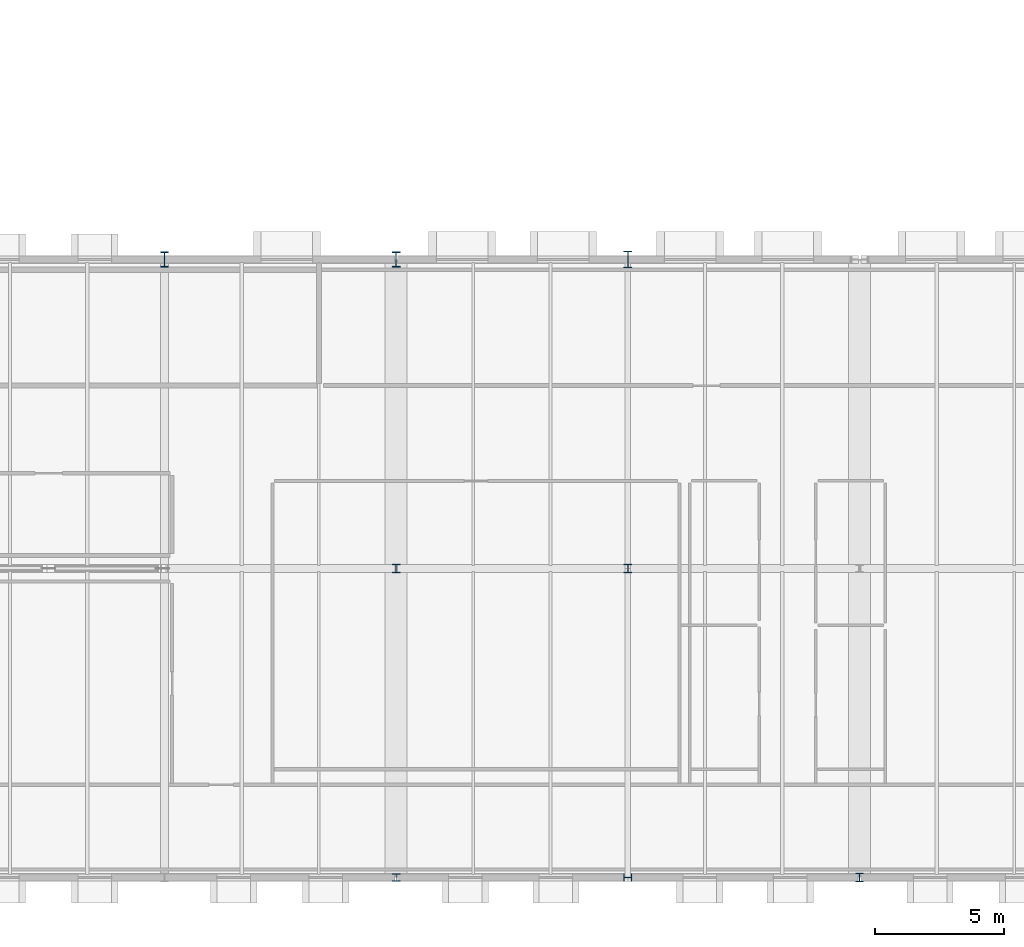
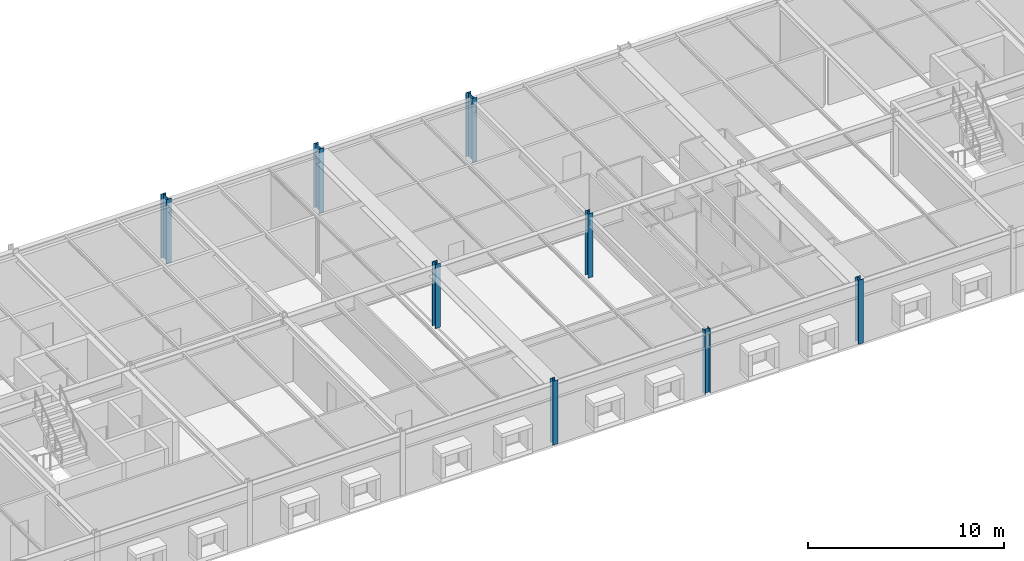
# One storey, part 2 of 36: 8 columns.
"""IFC4 building model written with IfcOpenShell, lengths in metres."""

from ifc_helpers import new_model, si_unit, direction, frame, origin, origin_2d, place, context, subcontext, project, spatial, i_section, extrude, material, material_profile, profile_set, type_object, element, save


model = new_model("IFC4")

# Units and contexts
model_context = context("Model", 3, precision=1e-05, world=origin(), true_north=direction((0.0, 1.0)))
body_context = subcontext(model_context, "Body", "Model", "MODEL_VIEW")
ifc_project = project(units=[si_unit("LENGTHUNIT", "METRE"), si_unit("AREAUNIT", "SQUARE_METRE"), si_unit("VOLUMEUNIT", "CUBIC_METRE"), si_unit("PLANEANGLEUNIT", "RADIAN"), si_unit("MASSUNIT", "GRAM", prefix="KILO")], contexts=[model_context])

# Site, building, storey
site_placement = place(None, origin())
site = spatial("IfcSite", under=ifc_project, at=site_placement, CompositionType="ELEMENT")
building_placement = place(site_placement, origin())
building = spatial("IfcBuilding", under=site, at=building_placement, Name="Montelvaro Courts of Justice", CompositionType="ELEMENT")
storey_placement = place(building_placement, frame((0.0, 0.0, 23.39990234375)))
storey = spatial("IfcBuildingStorey", under=building, at=storey_placement, Name="L05", CompositionType="ELEMENT", Elevation=23.39990234375)

# Columns
ifc_material = material(Name="Steel S355", Category="steel")
ifc_material_profile_1 = material_profile(ifc_material, i_section(OverallWidth=0.300048828125, OverallDepth=0.300048828125, WebThickness=0.010986328125, FlangeThickness=0.01904296875, at=origin_2d()), Name="HEB 300")
ifc_profile_set_1 = profile_set([ifc_material_profile_1], Name="Steel S355")
column_type_1 = type_object("IfcColumnType", Name="Col_HEB300", PredefinedType="COLUMN", material=ifc_profile_set_1)
column_1_placement = place(storey_placement, frame((81.0, 0.0, 0.0), z_axis=(0.0, 0.0, 1.0), x_axis=(1.0, 0.0, 0.0)))
element("IfcColumn", 1, at=column_1_placement, inside=storey, type_object=column_type_1, Name="Column C-03 L05 10/A", PredefinedType="COLUMN", context=body_context, shape_type="SweptSolid", body=[
    extrude(i_section(OverallWidth=0.300048828125, OverallDepth=0.300048828125, WebThickness=0.010986328125, FlangeThickness=0.01904296875, at=origin_2d()), origin(), (0.0, 0.0, 1.0), 4.0),
])
ifc_material_profile_2 = material_profile(ifc_material, i_section(OverallWidth=0.300048828125, OverallDepth=0.320068359375, WebThickness=0.011474609375, FlangeThickness=0.0205078125, at=origin_2d()), Name="HEB 320")
ifc_profile_set_2 = profile_set([ifc_material_profile_2], Name="Steel S355")
column_type_2 = type_object("IfcColumnType", Name="Col_HEB320", PredefinedType="COLUMN", material=ifc_profile_set_2)
for number, where, z_axis, x_axis, name in (
    (2, (81.0, 12.0, 0.0), (0.0, 0.0, 1.0), (1.0, 0.0, 0.0), "Column C-04 L05 10/B"),
    (3, (90.0, 0.0, 0.0), (0.0, 0.0, 1.0), (0.0, 1.0, 0.0), "Column C-04 L05 11/A"),
):
    element("IfcColumn", number, at=place(storey_placement, frame(where, z_axis=z_axis, x_axis=x_axis)), inside=storey, type_object=column_type_2, Name=name, PredefinedType="COLUMN", context=body_context, shape_type="SweptSolid", body=[
        extrude(i_section(OverallWidth=0.300048828125, OverallDepth=0.320068359375, WebThickness=0.011474609375, FlangeThickness=0.0205078125, at=origin_2d()), origin(), (0.0, 0.0, 1.0), 4.0),
    ])
ifc_material_profile_3 = material_profile(ifc_material, i_section(OverallWidth=0.300048828125, OverallDepth=0.340087890625, WebThickness=0.011962890625, FlangeThickness=0.021484375, at=origin_2d()), Name="HEB 340")
ifc_profile_set_3 = profile_set([ifc_material_profile_3], Name="Steel S355")
column_type_3 = type_object("IfcColumnType", Name="Col_HEB340", PredefinedType="COLUMN", material=ifc_profile_set_3)
for number, where, z_axis, x_axis, name in (
    (4, (90.0, 12.0, 0.0), (0.0, 0.0, 1.0), (1.0, 0.0, 0.0), "Column C-05 L05 11/B"),
    (5, (99.0, 0.0, 0.0), (0.0, 0.0, 1.0), (1.0, 0.0, 0.0), "Column C-05 L05 12/A"),
):
    element("IfcColumn", number, at=place(storey_placement, frame(where, z_axis=z_axis, x_axis=x_axis)), inside=storey, type_object=column_type_3, Name=name, PredefinedType="COLUMN", context=body_context, shape_type="SweptSolid", body=[
        extrude(i_section(OverallWidth=0.300048828125, OverallDepth=0.340087890625, WebThickness=0.011962890625, FlangeThickness=0.021484375, at=origin_2d()), origin(), (0.0, 0.0, 1.0), 4.0),
    ])
ifc_material_profile_4 = material_profile(ifc_material, i_section(OverallWidth=0.300048828125, OverallDepth=0.60009765625, WebThickness=0.015380859375, FlangeThickness=0.030029296875, at=origin_2d()), Name="HEB 600")
ifc_profile_set_4 = profile_set([ifc_material_profile_4], Name="Steel S355")
column_type_4 = type_object("IfcColumnType", Name="Col_HEB600", PredefinedType="COLUMN", material=ifc_profile_set_4)
for number, where, z_axis, x_axis, name in (
    (6, (72.0, 24.0, 0.0), (0.0, 0.0, 1.0), (1.0, 0.0, 0.0), "Column C-11 L05 9/C"),
    (7, (81.0, 24.0, 0.0), (0.0, 0.0, 1.0), (1.0, 0.0, 0.0), "Column C-11 L05 10/C"),
):
    element("IfcColumn", number, at=place(storey_placement, frame(where, z_axis=z_axis, x_axis=x_axis)), inside=storey, type_object=column_type_4, Name=name, PredefinedType="COLUMN", context=body_context, shape_type="SweptSolid", body=[
        extrude(i_section(OverallWidth=0.300048828125, OverallDepth=0.60009765625, WebThickness=0.015380859375, FlangeThickness=0.030029296875, at=origin_2d()), origin(), (0.0, 0.0, 1.0), 4.0),
    ])
ifc_material_profile_5 = material_profile(ifc_material, i_section(OverallWidth=0.300048828125, OverallDepth=0.64990234375, WebThickness=0.01611328125, FlangeThickness=0.031005859375, at=origin_2d()), Name="HEB 650")
ifc_profile_set_5 = profile_set([ifc_material_profile_5], Name="Steel S355")
column_type_5 = type_object("IfcColumnType", Name="Col_HEB650", PredefinedType="COLUMN", material=ifc_profile_set_5)
column_2_placement = place(storey_placement, frame((90.0, 24.0, 0.0), z_axis=(0.0, 0.0, 1.0), x_axis=(1.0, 0.0, 0.0)))
element("IfcColumn", 8, at=column_2_placement, inside=storey, type_object=column_type_5, Name="Column C-12 L05 11/C", PredefinedType="COLUMN", context=body_context, shape_type="SweptSolid", body=[
    extrude(i_section(OverallWidth=0.300048828125, OverallDepth=0.64990234375, WebThickness=0.01611328125, FlangeThickness=0.031005859375, at=origin_2d()), origin(), (0.0, 0.0, 1.0), 4.0),
])

save(model, "model.ifc")
